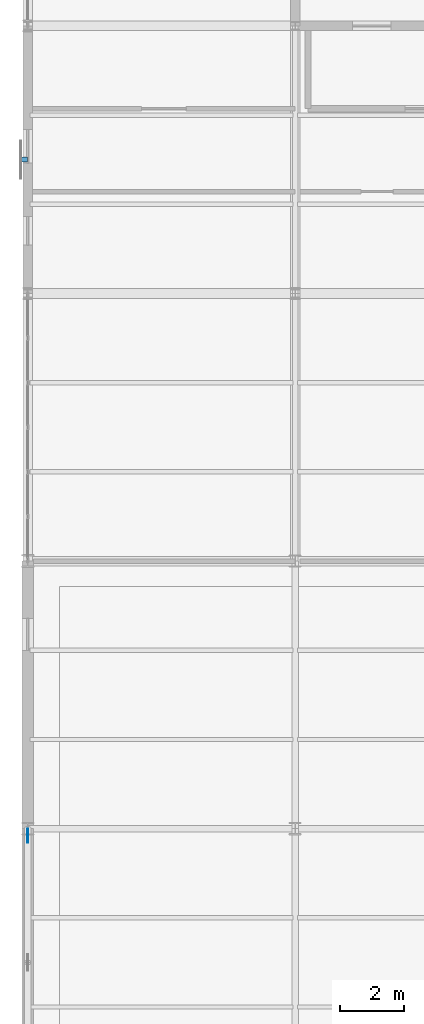
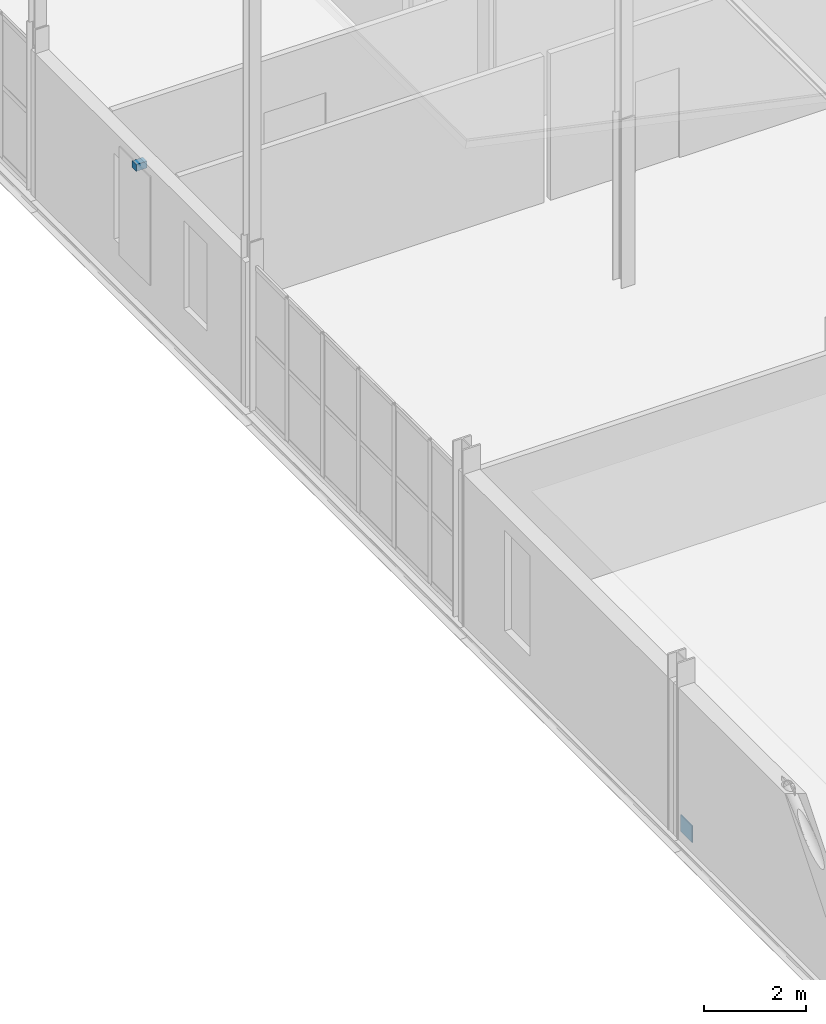
# One storey, part 164 of 184: 2 discrete accessories.
"""IFC4 building model written with IfcOpenShell, lengths in metres."""

from ifc_helpers import new_model, si_unit, direction, frame, origin, origin_2d, place, context, subcontext, project, spatial, rectangle, extrude, material, type_object, element, save


model = new_model("IFC4")

# Units and contexts
model_context = context("Model", 3, precision=1e-05, world=origin(), true_north=direction((0.0, 1.0)))
body_context = subcontext(model_context, "Body", "Model", "MODEL_VIEW")
ifc_project = project(units=[si_unit("LENGTHUNIT", "METRE"), si_unit("AREAUNIT", "SQUARE_METRE"), si_unit("VOLUMEUNIT", "CUBIC_METRE"), si_unit("PLANEANGLEUNIT", "RADIAN"), si_unit("MASSUNIT", "GRAM", prefix="KILO")], contexts=[model_context])

# Site, building, storey
site_placement = place(None, origin())
site = spatial("IfcSite", under=ifc_project, at=site_placement, CompositionType="ELEMENT")
building_placement = place(site_placement, origin())
building = spatial("IfcBuilding", under=site, at=building_placement, Name="Qalvenar Corner Mobility Hub", CompositionType="ELEMENT")
storey_placement = place(building_placement, frame((0.0, 0.0, 9.0)))
storey = spatial("IfcBuildingStorey", under=building, at=storey_placement, Name="L02", CompositionType="ELEMENT", Elevation=9.0)

# Discrete accessories
ifc_material = material(Name="Steel S355", Category="steel")
discrete_accessory_type_1 = type_object("IfcDiscreteAccessoryType", Name="ACC-GUSSET-PLT", PredefinedType="BRACKET", material=ifc_material)
discrete_accessory_1_placement = place(storey_placement, frame((0.0, 33.3798828125, 0.0), z_axis=(0.0, 0.0, 1.0), x_axis=(0.0, 1.0, 0.0)))
element("IfcDiscreteAccessory", 1, at=discrete_accessory_1_placement, inside=storey, type_object=discrete_accessory_type_1, Name="Brace Base Gusset Plate GP-B-024", PredefinedType="BRACKET", context=body_context, shape_type="SweptSolid", body=[
    extrude(rectangle(XDim=0.449951171875, YDim=0.02490234375, at=origin_2d()), origin(), (0.0, 0.0, 1.0), 0.39990234375),
])
discrete_accessory_type_2 = type_object("IfcDiscreteAccessoryType", Name="ACC-HINGE-BRK", PredefinedType="BRACKET", material=ifc_material)
discrete_accessory_2_placement = place(storey_placement, frame((-0.1201171875, 54.60009765625, 3.169921875), z_axis=(0.0, 0.0, 1.0), x_axis=(0.0, 1.0, 0.0)))
element("IfcDiscreteAccessory", 2, at=discrete_accessory_2_placement, inside=storey, type_object=discrete_accessory_type_2, Name="Cycle Screen Bracket BKV5-L02-1", PredefinedType="BRACKET", context=body_context, shape_type="SweptSolid", body=[
    extrude(rectangle(XDim=0.159912109375, YDim=0.239990234375, at=origin_2d()), origin(), (0.0, 0.0, 1.0), 0.159912109375),
])

save(model, "model.ifc")
